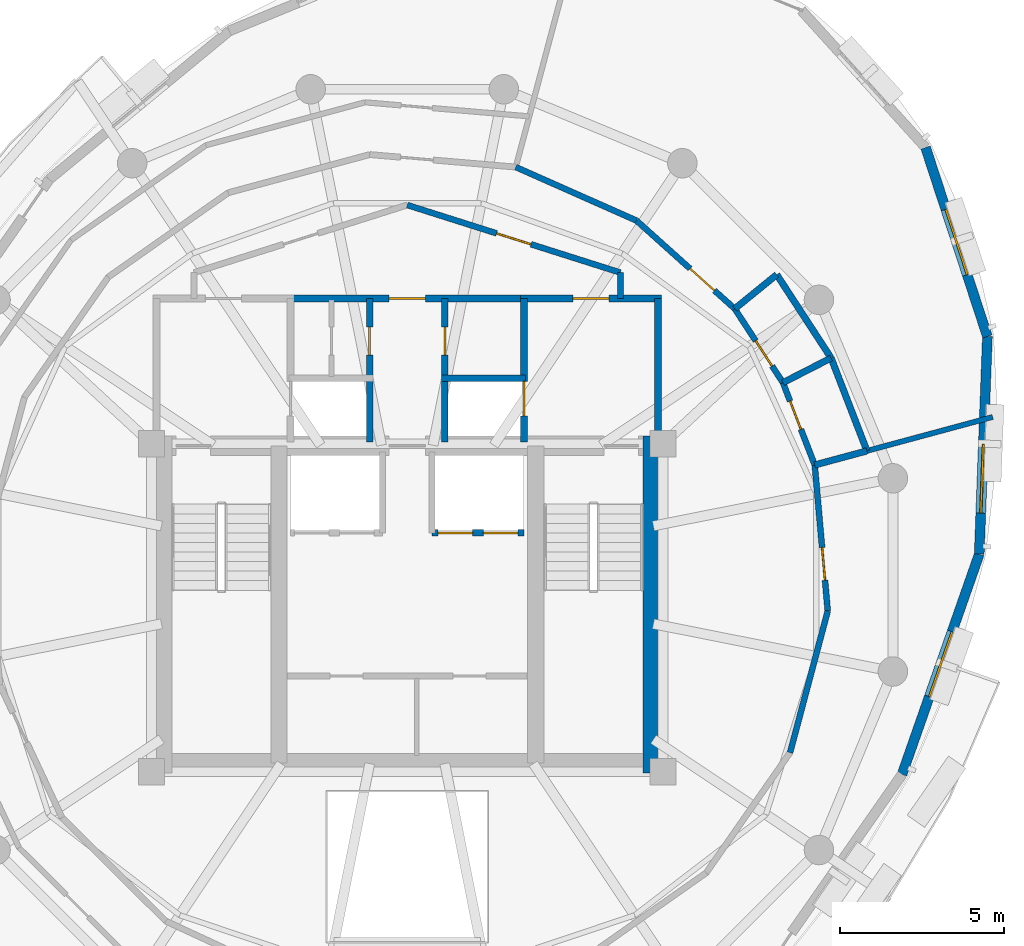
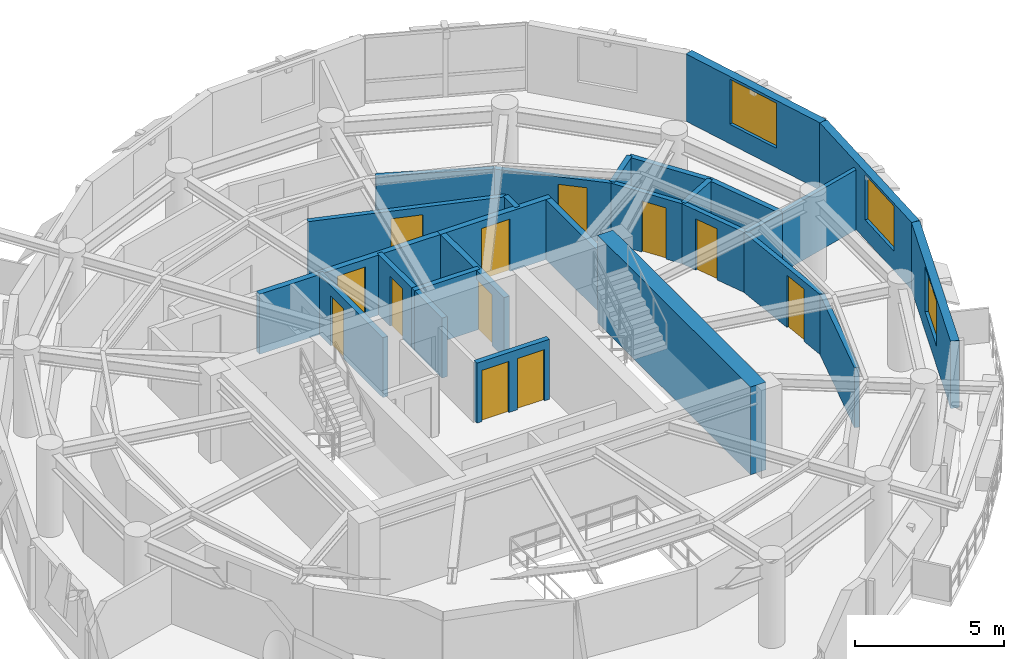
# One storey, part 8 of 11: 26 walls, 12 doors, 3 windows, 15 openings.
"""IFC4 building model written with IfcOpenShell, lengths in metres."""

import ifcopenshell
import ifcopenshell.guid

model = None  # the IFC model being written
_history = None  # IfcOwnerHistory: only IFC2X3 demands one
_inside = {}  # id of a spatial element -> (the spatial element, [elements in it])
_under = {}  # id of a project, library or spatial element -> (it, [spatial elements below it])
_declared = {}  # id of a project -> (the project, [libraries it declares])
_typed = {}  # id of a type object -> (the type object, [elements of that type])
_made_of = {}  # id of a material, layer set ... -> (it, [elements and type objects made of it])


def new_model(schema):
    """Start an empty IFC model of exactly this schema.

    Asked for "IFC4X3", IfcOpenShell would pick the latest addendum, in which some entities
    have other attributes; the version numbers below select the first issue.
    IFC2X3 requires an IfcOwnerHistory on every rooted entity: one is made here for all.
    """
    global model, _history
    if schema == "IFC4X3":
        model = ifcopenshell.file(schema_version=(4, 3, 0, 0))
    else:
        model = ifcopenshell.file(schema=schema)
    _inside.clear()
    _under.clear()
    _declared.clear()
    _typed.clear()
    _made_of.clear()
    _history = None
    if model.schema == "IFC2X3":
        org = make("IfcOrganization", Name="unknown")
        user = make(
            "IfcPersonAndOrganization",
            ThePerson=make("IfcPerson", FamilyName="unknown"),
            TheOrganization=org,
        )
        app = make(
            "IfcApplication",
            ApplicationDeveloper=org,
            Version="unknown",
            ApplicationFullName="unknown",
            ApplicationIdentifier="unknown",
        )
        _history = make(
            "IfcOwnerHistory",
            OwningUser=user,
            OwningApplication=app,
            ChangeAction="ADDED",
            CreationDate=0,
        )
    return model


def make(cls, **values):
    """One entity of the class cls with the attributes given. An attribute that is None is left unset."""
    return model.create_entity(
        cls, **{name: value for name, value in values.items() if value is not None}
    )


def rooted(cls, **values):
    """An entity with a GlobalId (a new one), such as an element, a storey or a relation."""
    return make(cls, GlobalId=ifcopenshell.guid.new(), OwnerHistory=_history, **values)


def si_unit(unit_type, name, prefix=None):
    """IfcSIUnit, for example si_unit("LENGTHUNIT", "METRE", prefix="MILLI")."""
    return make("IfcSIUnit", UnitType=unit_type, Prefix=prefix, Name=name)


def assignment(units):
    """IfcUnitAssignment: the units of a project."""
    return None if units is None else make("IfcUnitAssignment", Units=units)


def point(xyz):
    """IfcCartesianPoint."""
    return None if xyz is None else make("IfcCartesianPoint", Coordinates=xyz)


def direction(xyz):
    """IfcDirection."""
    return None if xyz is None else make("IfcDirection", DirectionRatios=xyz)


def frame(location, z_axis=None, x_axis=None):
    """IfcAxis2Placement3D, a coordinate frame: its origin and axes. An axis left out is left unset."""
    return make(
        "IfcAxis2Placement3D",
        Location=point(location),
        Axis=direction(z_axis),
        RefDirection=direction(x_axis),
    )


def frame_2d(location, x_axis=None):
    """IfcAxis2Placement2D, a coordinate frame in the plane: its origin and x axis."""
    return make(
        "IfcAxis2Placement2D", Location=point(location), RefDirection=direction(x_axis)
    )


def origin():
    """The frame at (0, 0, 0) with its axes left unset."""
    return frame((0.0, 0.0, 0.0))


def place(relative_to, where):
    """IfcLocalPlacement: puts the frame where relative to a parent placement (None: the world)."""
    return make(
        "IfcLocalPlacement", PlacementRelTo=relative_to, RelativePlacement=where
    )


def context(
    kind, dimensions, precision=None, world=None, true_north=None, identifier=None
):
    """IfcGeometricRepresentationContext, for example the 3D "Model" context."""
    return make(
        "IfcGeometricRepresentationContext",
        ContextIdentifier=identifier,
        ContextType=kind,
        CoordinateSpaceDimension=dimensions,
        Precision=precision,
        WorldCoordinateSystem=world,
        TrueNorth=true_north,
    )


def subcontext(parent, identifier, kind, view, scale=None):
    """IfcGeometricRepresentationSubContext, for example "Body" below "Model"."""
    return make(
        "IfcGeometricRepresentationSubContext",
        ContextIdentifier=identifier,
        ContextType=kind,
        ParentContext=parent,
        TargetScale=scale,
        TargetView=view,
    )


def project(units=None, contexts=None):
    """IfcProject with its units and contexts."""
    return rooted(
        "IfcProject",
        Name="project",
        RepresentationContexts=contexts,
        UnitsInContext=assignment(units),
    )


def spatial(cls, under=None, at=None, **own):
    """A site, building, storey or space (cls), placed at a placement, below another one or the project."""
    s = rooted(cls, ObjectPlacement=at, **own)
    if under is not None:
        _under.setdefault(under.id(), (under, []))[1].append(s)
    return s


def profile(cls, at=None, kind="AREA", **sizes):
    """A parametric profile (cls). Its sizes go by their IFC names, for example OverallWidth=200.0."""
    return make(cls, ProfileType=kind, Position=at, **sizes)


def rectangle(**sizes):
    """IfcRectangleProfileDef."""
    return profile("IfcRectangleProfileDef", **sizes)


def extrude(swept, where, along, depth):
    """IfcExtrudedAreaSolid: the profile swept, set in the frame where, extruded along a direction by depth."""
    return make(
        "IfcExtrudedAreaSolid",
        SweptArea=swept,
        Position=where,
        ExtrudedDirection=direction(along),
        Depth=depth,
    )


def shape(context_of_items, identifier, shape_type, items):
    """IfcShapeRepresentation: the items that make up one representation, for example the "Body"."""
    return make(
        "IfcShapeRepresentation",
        ContextOfItems=context_of_items,
        RepresentationIdentifier=identifier,
        RepresentationType=shape_type,
        Items=items,
    )


def material(Name=None, Category=None):
    """IfcMaterial."""
    return make("IfcMaterial", Name=Name, Category=Category)


def layer(
    of_material, thickness, ventilated=None, Name=None, Category=None, Priority=None
):
    """IfcMaterialLayer: one layer of a wall or slab, of a material (None: an air gap)."""
    return make(
        "IfcMaterialLayer",
        Material=of_material,
        LayerThickness=thickness,
        IsVentilated=ventilated,
        Name=Name,
        Category=Category,
        Priority=Priority,
    )


def layer_set(layers, Name=None):
    """IfcMaterialLayerSet."""
    return make("IfcMaterialLayerSet", MaterialLayers=layers, LayerSetName=Name)


def made_of(thing, what):
    """Note that an element or type object is made of a material, layer set ...; save() writes the relation."""
    if what is not None:
        _made_of.setdefault(what.id(), (what, []))[1].append(thing)
    return thing


def type_object(cls, material=None, **own):
    """A type object (cls), such as IfcWallType, which elements share."""
    return made_of(rooted(cls, **own), material)


def element(
    cls,
    number,
    at=None,
    inside=None,
    cuts=None,
    type_object=None,
    material=None,
    context=None,
    identifier="Body",
    shape_type=None,
    held_by="IfcProductDefinitionShape",
    body=None,
    shapes=None,
    **own,
):
    """One element of the class cls, such as IfcWall. Its Tag is "e" and its number.

    at: its placement. inside: the storey or other place that contains it. cuts: it is an
    opening in that element (IfcRelVoidsElement). A single representation is given by context,
    identifier, shape_type and body (its items); several are given by shapes. held_by: the class
    of the entity that holds the representations. save() writes the other relations.
    """
    e = rooted(cls, Tag="e%d" % number, ObjectPlacement=at, **own)
    if body is not None:
        shapes = [shape(context, identifier, shape_type, body)]
    if shapes is not None:
        e.Representation = make(held_by, Representations=shapes)
    if inside is not None:
        _inside.setdefault(inside.id(), (inside, []))[1].append(e)
    if cuts is not None:
        rooted(
            "IfcRelVoidsElement", RelatingBuildingElement=cuts, RelatedOpeningElement=e
        )
    if type_object is not None:
        _typed.setdefault(type_object.id(), (type_object, []))[1].append(e)
    return made_of(e, material)


def fill(opening, filler):
    """IfcRelFillsElement: the door or window that sits in an opening."""
    return rooted(
        "IfcRelFillsElement",
        RelatingOpeningElement=opening,
        RelatedBuildingElement=filler,
    )


def aggregate(whole, parts):
    """IfcRelAggregates: a whole, such as a stair, and the parts it consists of."""
    return rooted("IfcRelAggregates", RelatingObject=whole, RelatedObjects=parts)


def save(model, path):
    """Write the relations noted so far, then the file.

    IfcRelAggregates (storeys below a building ...), IfcRelContainedInSpatialStructure (elements
    in a storey), IfcRelDefinesByType, IfcRelAssociatesMaterial and IfcRelDeclares: one each for
    every whole, place, type object, material and project.
    """
    for whole, parts in _under.values():
        aggregate(whole, parts)
    for where, things in _inside.values():
        rooted(
            "IfcRelContainedInSpatialStructure",
            RelatedElements=things,
            RelatingStructure=where,
        )
    for kind, things in _typed.values():
        rooted("IfcRelDefinesByType", RelatedObjects=things, RelatingType=kind)
    for what, things in _made_of.values():
        rooted("IfcRelAssociatesMaterial", RelatedObjects=things, RelatingMaterial=what)
    for by, libraries in _declared.values():
        rooted("IfcRelDeclares", RelatingContext=by, RelatedDefinitions=libraries)
    model.write(path)


model = new_model("IFC4")

# Units and contexts
model_context = context("Model", 3, precision=1e-05, world=origin(), true_north=direction((0.0, 1.0)))
body_context = subcontext(model_context, "Body", "Model", "MODEL_VIEW")
ifc_project = project(units=[si_unit("LENGTHUNIT", "METRE"), si_unit("AREAUNIT", "SQUARE_METRE"), si_unit("VOLUMEUNIT", "CUBIC_METRE"), si_unit("PLANEANGLEUNIT", "RADIAN"), si_unit("MASSUNIT", "GRAM", prefix="KILO"), si_unit("THERMODYNAMICTEMPERATUREUNIT", "KELVIN"), si_unit("POWERUNIT", "WATT")], contexts=[model_context])

# Site, building, storey
site_placement = place(None, origin())
site = spatial("IfcSite", under=ifc_project, at=site_placement, CompositionType="ELEMENT")
building_placement = place(site_placement, origin())
building = spatial("IfcBuilding", under=site, at=building_placement, Name="Ocrelia Relay Tower", CompositionType="ELEMENT")
storey_placement = place(building_placement, frame((0.0, 0.0, 259.199951171875)))
storey = spatial("IfcBuildingStorey", under=building, at=storey_placement, Name="L64", CompositionType="ELEMENT", Elevation=259.199951171875)

# Walls
ifc_material_1 = material(Name="Concrete C50/60", Category="concrete")
ifc_layer_1 = layer(ifc_material_1, 0.60009765625, Name="Concrete C50/60")
ifc_layer_set_1 = layer_set([ifc_layer_1], Name="Concrete C50/60")
wall_type_1 = type_object("IfcWallType", Name="CW-CORE-600B", PredefinedType="SHEAR", material=ifc_layer_set_1)
wall_1_placement = place(storey_placement, frame((41.488037109375, 19.9619140625, 0.0), z_axis=(0.0, 0.0, 1.0), x_axis=(0.0, 1.0, 0.0)))
element("IfcWall", 1, at=wall_1_placement, inside=storey, type_object=wall_type_1, Name="L64 Core Shear Wall E", PredefinedType="SHEAR", context=body_context, shape_type="SweptSolid", body=[
    extrude(rectangle(XDim=10.276123046875, YDim=0.60009765625, at=frame_2d((5.13818359375, 0.0))), origin(), (0.0, 0.0, 1.0), 3.60009765625),
])
ifc_material_2 = material(Name="Gypsum Fireboard Partition EI60", Category="gypsum")
ifc_layer_2 = layer(ifc_material_2, 0.179931640625, Name="Gypsum Fireboard Partition EI60")
ifc_layer_set_2 = layer_set([ifc_layer_2], Name="Gypsum Fireboard Partition EI60")
wall_type_2 = type_object("IfcWallType", Name="W-CORR-EI60-180", PredefinedType="PARTITIONING", material=ifc_layer_set_2)
wall_2_placement = place(storey_placement, frame((40.5, 35.218994140625, 0.0), z_axis=(0.0, 0.0, 1.0), x_axis=(0.0, -1.0, 0.0)))
element("IfcWall", 2, at=wall_2_placement, inside=storey, type_object=wall_type_2, Name="L64 Smoke Lobby East Return", PredefinedType="PARTITIONING", context=body_context, shape_type="SweptSolid", body=[
    extrude(rectangle(XDim=0.7890625, YDim=0.179931640625, at=frame_2d((0.39453125, 0.0))), origin(), (0.0, 0.0, 1.0), 2.4599609375),
])

# Wall, opening, door
wall_3_placement = place(storey_placement, frame((34.0, 37.280029296875, 0.0), z_axis=(0.0, 0.0, 1.0), x_axis=(0.953228121756, -0.302251795518, 0.0)))
wall_3 = element("IfcWall", 3, at=wall_3_placement, inside=storey, type_object=wall_type_2, Name="L64 North Smoke Lobby E Screen Wall", PredefinedType="PARTITIONING", context=body_context, shape_type="SweptSolid", body=[
    extrude(rectangle(XDim=6.81884765625, YDim=0.179931640625, at=frame_2d((3.409423828125, 0.0))), origin(), (0.0, 0.0, 1.0), 2.4599609375),
])
opening_1_placement = place(wall_3_placement, frame((2.859619140625, 0.0, 0.0)))
opening_1 = element("IfcOpeningElement", 4, at=opening_1_placement, cuts=wall_3, Name="Opening D-FD60", PredefinedType="OPENING", context=body_context, shape_type="SweptSolid", body=[
    extrude(rectangle(XDim=1.10009765625, YDim=2.14990234375, at=frame_2d((0.550048828125, 1.074951171875))), frame((0.0, 0.10009765625, 0.0), z_axis=(0.0, -1.0, 0.0), x_axis=(1.0, 0.0, 0.0)), (0.0, 0.0, 1.0), 0.199951171875),
])
ifc_material_3 = material(Name="Timber-core 60-min acoustic fire door", Category="wood")
door_type_1 = type_object("IfcDoorType", Name="DR-LOBBY-FD60-1100", OperationType="NOTDEFINED", PredefinedType="DOOR", material=ifc_material_3)
door_1_placement = place(opening_1_placement, origin())
door_1 = element("IfcDoor", 5, at=door_1_placement, inside=storey, type_object=door_type_1, Name="L64 North Smoke Lobby E Fire Door", OperationType="SINGLE_SWING_RIGHT", OverallHeight=2.14990234375, OverallWidth=1.10009765625, PredefinedType="DOOR", context=body_context, shape_type="SweptSolid", body=[
    extrude(rectangle(XDim=1.10009765625, YDim=2.14990234375, at=frame_2d((0.550048828125, 1.074951171875))), frame((0.0, 0.02490234375, 0.0), z_axis=(0.0, -1.0, 0.0), x_axis=(1.0, 0.0, 0.0)), (0.0, 0.0, 1.0), 0.050048828125),
])
fill(opening_1, door_1)

wall_4_placement = place(storey_placement, frame((46.425537109375, 29.352783203125, 0.0), z_axis=(0.0, 0.0, 1.0), x_axis=(-0.359988298635, 0.932956818318, 0.0)))
wall_4 = element("IfcWall", 6, at=wall_4_placement, inside=storey, type_object=wall_type_2, Name="L64 Staff Toilet Corridor Wall", PredefinedType="PARTITIONING", context=body_context, shape_type="SweptSolid", body=[
    extrude(rectangle(XDim=2.6904296875, YDim=0.179931640625, at=frame_2d((1.34521484375, 0.0))), origin(), (0.0, 0.0, 1.0), 2.4599609375),
])
opening_2_placement = place(wall_4_placement, frame((1.16748046875, 0.0, 0.0)))
opening_2 = element("IfcOpeningElement", 7, at=opening_2_placement, cuts=wall_4, Name="Opening D-WC92", PredefinedType="OPENING", context=body_context, shape_type="SweptSolid", body=[
    extrude(rectangle(XDim=0.919921875, YDim=2.10009765625, at=frame_2d((0.4599609375, 1.050048828125))), frame((0.0, 0.10009765625, 0.0), z_axis=(0.0, -1.0, 0.0), x_axis=(1.0, 0.0, 0.0)), (0.0, 0.0, 1.0), 0.199951171875),
])
ifc_material_4 = material(Name="Laminate washroom door", Category="wood")
door_type_2 = type_object("IfcDoorType", Name="DR-WC-920", OperationType="NOTDEFINED", PredefinedType="DOOR", material=ifc_material_4)
door_2_placement = place(opening_2_placement, origin())
door_2 = element("IfcDoor", 8, at=door_2_placement, inside=storey, type_object=door_type_2, Name="L64 Staff Toilet Door", OperationType="SINGLE_SWING_LEFT", OverallHeight=2.10009765625, OverallWidth=0.919921875, PredefinedType="DOOR", context=body_context, shape_type="SweptSolid", body=[
    extrude(rectangle(XDim=0.919921875, YDim=2.10009765625, at=frame_2d((0.4599609375, 1.050048828125))), frame((0.0, 0.02490234375, 0.0), z_axis=(0.0, -1.0, 0.0), x_axis=(1.0, 0.0, 0.0)), (0.0, 0.0, 1.0), 0.050048828125),
])
fill(opening_2, door_2)

wall_5_placement = place(storey_placement, frame((45.45703125, 31.86279296875, 0.0), z_axis=(0.0, 0.0, 1.0), x_axis=(-0.546085080171, 0.837729720861, 0.0)))
wall_5 = element("IfcWall", 9, at=wall_5_placement, inside=storey, type_object=wall_type_2, Name="L64 Accessible Toilet Corridor Wall", PredefinedType="PARTITIONING", context=body_context, shape_type="SweptSolid", body=[
    extrude(rectangle(XDim=2.6904296875, YDim=0.179931640625, at=frame_2d((1.34521484375, 0.0))), origin(), (0.0, 0.0, 1.0), 2.4599609375),
])
opening_3_placement = place(wall_5_placement, frame((0.603271484375, 0.0, 0.0)))
opening_3 = element("IfcOpeningElement", 10, at=opening_3_placement, cuts=wall_5, Name="Opening D-WC92", PredefinedType="OPENING", context=body_context, shape_type="SweptSolid", body=[
    extrude(rectangle(XDim=0.919921875, YDim=2.10009765625, at=frame_2d((0.4599609375, 1.050048828125))), frame((0.0, 0.10009765625, 0.0), z_axis=(0.0, -1.0, 0.0), x_axis=(1.0, 0.0, 0.0)), (0.0, 0.0, 1.0), 0.199951171875),
])
door_3_placement = place(opening_3_placement, origin())
door_3 = element("IfcDoor", 11, at=door_3_placement, inside=storey, type_object=door_type_2, Name="L64 Accessible Toilet Door", OperationType="SINGLE_SWING_RIGHT", OverallHeight=2.10009765625, OverallWidth=0.919921875, PredefinedType="DOOR", context=body_context, shape_type="SweptSolid", body=[
    extrude(rectangle(XDim=0.919921875, YDim=2.10009765625, at=frame_2d((0.4599609375, 1.050048828125))), frame((0.0, 0.02490234375, 0.0), z_axis=(0.0, -1.0, 0.0), x_axis=(1.0, 0.0, 0.0)), (0.0, 0.0, 1.0), 0.050048828125),
])
fill(opening_3, door_3)

wall_6_placement = place(storey_placement, frame((43.98779296875, 34.11669921875, 0.0), z_axis=(0.0, 0.0, 1.0), x_axis=(-0.744300239782, 0.6678451565, 0.0)))
wall_6 = element("IfcWall", 12, at=wall_6_placement, inside=storey, type_object=wall_type_2, Name="L64 Executive Lounge Corridor Partition 1", PredefinedType="PARTITIONING", context=body_context, shape_type="SweptSolid", body=[
    extrude(rectangle(XDim=4.026611328125, YDim=0.179931640625, at=frame_2d((2.01318359375, 0.0))), origin(), (0.0, 0.0, 1.0), 2.4599609375),
])
opening_4_placement = place(wall_6_placement, frame((0.83154296875, 0.0, 0.0)))
opening_4 = element("IfcOpeningElement", 13, at=opening_4_placement, cuts=wall_6, Name="Opening D-RM100", PredefinedType="OPENING", context=body_context, shape_type="SweptSolid", body=[
    extrude(rectangle(XDim=1.0, YDim=2.14990234375, at=frame_2d((0.5, 1.074951171875))), frame((0.0, 0.10009765625, 0.0), z_axis=(0.0, -1.0, 0.0), x_axis=(1.0, 0.0, 0.0)), (0.0, 0.0, 1.0), 0.199951171875),
])
ifc_material_5 = material(Name="Acoustic oak veneer fire door", Category="wood")
door_type_3 = type_object("IfcDoorType", Name="DR-ROOM-FD60-1000", OperationType="NOTDEFINED", PredefinedType="DOOR", material=ifc_material_5)
door_4_placement = place(opening_4_placement, origin())
door_4 = element("IfcDoor", 14, at=door_4_placement, inside=storey, type_object=door_type_3, Name="L64 Executive Lounge Entrance Door", OperationType="SINGLE_SWING_LEFT", OverallHeight=2.14990234375, OverallWidth=1.0, PredefinedType="DOOR", context=body_context, shape_type="SweptSolid", body=[
    extrude(rectangle(XDim=1.0, YDim=2.14990234375, at=frame_2d((0.5, 1.074951171875))), frame((0.0, 0.02490234375, 0.0), z_axis=(0.0, -1.0, 0.0), x_axis=(1.0, 0.0, 0.0)), (0.0, 0.0, 1.0), 0.050048828125),
])
fill(opening_4, door_4)

# Walls
wall_7_placement = place(storey_placement, frame((40.99072265625, 36.805908203125, 0.0), z_axis=(0.0, 0.0, 1.0), x_axis=(-0.914256044606, 0.405136871812, 0.0)))
element("IfcWall", 15, at=wall_7_placement, inside=storey, type_object=wall_type_2, Name="L64 Executive Lounge Corridor Partition 2", PredefinedType="PARTITIONING", context=body_context, shape_type="SweptSolid", body=[
    extrude(rectangle(XDim=4.026611328125, YDim=0.179931640625, at=frame_2d((2.01318359375, 0.0))), origin(), (0.0, 0.0, 1.0), 2.4599609375),
])
wall_8_placement = place(storey_placement, frame((45.673583984375, 20.581298828125, 0.0), z_axis=(0.0, 0.0, 1.0), x_axis=(0.257159460404, 0.966368983321, 0.0)))
element("IfcWall", 16, at=wall_8_placement, inside=storey, type_object=wall_type_2, Name="L64 Fellows Quiet Study Corridor Partition 5", PredefinedType="PARTITIONING", context=body_context, shape_type="SweptSolid", body=[
    extrude(rectangle(XDim=4.4697265625, YDim=0.179931640625, at=frame_2d((2.23486328125, 0.0))), origin(), (0.0, 0.0, 1.0), 2.4599609375),
])

# Wall, opening, door
wall_9_placement = place(storey_placement, frame((46.822998046875, 24.900634765625, 0.0), z_axis=(0.0, 0.0, 1.0), x_axis=(-0.088920326386, 0.996038741995, 0.0)))
wall_9 = element("IfcWall", 17, at=wall_9_placement, inside=storey, type_object=wall_type_2, Name="L64 Fellows Quiet Study Corridor Partition 6", PredefinedType="PARTITIONING", context=body_context, shape_type="SweptSolid", body=[
    extrude(rectangle(XDim=4.469970703125, YDim=0.179931640625, at=frame_2d((2.23486328125, 0.0))), origin(), (0.0, 0.0, 1.0), 2.4599609375),
])
opening_5_placement = place(wall_9_placement, frame((0.9423828125, 0.0, 0.0)))
opening_5 = element("IfcOpeningElement", 18, at=opening_5_placement, cuts=wall_9, Name="Opening D-RM100", PredefinedType="OPENING", context=body_context, shape_type="SweptSolid", body=[
    extrude(rectangle(XDim=1.0, YDim=2.14990234375, at=frame_2d((0.5, 1.074951171875))), frame((0.0, 0.10009765625, 0.0), z_axis=(0.0, -1.0, 0.0), x_axis=(1.0, 0.0, 0.0)), (0.0, 0.0, 1.0), 0.199951171875),
])
door_5_placement = place(opening_5_placement, origin())
door_5 = element("IfcDoor", 19, at=door_5_placement, inside=storey, type_object=door_type_3, Name="L64 Fellows Quiet Study Entrance Door", OperationType="SINGLE_SWING_RIGHT", OverallHeight=2.14990234375, OverallWidth=1.0, PredefinedType="DOOR", context=body_context, shape_type="SweptSolid", body=[
    extrude(rectangle(XDim=1.0, YDim=2.14990234375, at=frame_2d((0.5, 1.074951171875))), frame((0.0, 0.02490234375, 0.0), z_axis=(0.0, -1.0, 0.0), x_axis=(1.0, 0.0, 0.0)), (0.0, 0.0, 1.0), 0.050048828125),
])
fill(opening_5, door_5)

# Wall, opening, window
ifc_material_6 = material(Name="Precast concrete C40/50 with oxide terracotta", Category="masonry")
ifc_layer_3 = layer(ifc_material_6, 0.300048828125, Name="Precast concrete C40/50 with oxide terracotta")
ifc_layer_set_3 = layer_set([ifc_layer_3], Name="Precast concrete C40/50 with oxide terracotta")
wall_type_3 = type_object("IfcWallType", Name="W-EXT-TERR-300", PredefinedType="SOLIDWALL", material=ifc_layer_set_3)
wall_10_placement = place(storey_placement, frame((49.090087890625, 19.919189453125, 0.0), z_axis=(0.0, 0.0, 1.0), x_axis=(0.330663722263, 0.943748643856, 0.0)))
wall_10 = element("IfcWall", 20, at=wall_10_placement, inside=storey, type_object=wall_type_3, Name="L64 Oxide Terracotta Facade Wall 15", PredefinedType="SOLIDWALL", context=body_context, shape_type="SweptSolid", body=[
    extrude(rectangle(XDim=7.115234375, YDim=0.300048828125, at=frame_2d((3.5576171875, 0.0))), origin(), (0.0, 0.0, 1.0), 2.760009765625),
])
opening_6_placement = place(wall_10_placement, frame((2.508056640625, 0.0, 0.800048828125)))
opening_6 = element("IfcOpeningElement", 21, at=opening_6_placement, cuts=wall_10, Name="Opening W-07", PredefinedType="OPENING", context=body_context, shape_type="SweptSolid", body=[
    extrude(rectangle(XDim=2.10009765625, YDim=1.85009765625, at=frame_2d((1.050048828125, 0.925048828125))), frame((0.0, 0.16015625, 0.0), z_axis=(0.0, -1.0, 0.0), x_axis=(1.0, 0.0, 0.0)), (0.0, 0.0, 1.0), 0.320068359375),
])
ifc_material_7 = material(Name="Clear double-glazed low-E glass", Category="glass")
window_type = type_object("IfcWindowType", Name="WIN-Z4-2100x2200", PartitioningType="DOUBLE_PANEL_VERTICAL", PredefinedType="WINDOW", material=ifc_material_7)
window_1_placement = place(opening_6_placement, origin())
window_1 = element("IfcWindow", 22, at=window_1_placement, inside=storey, type_object=window_type, Name="L64 Facade Module Window 15", OverallHeight=1.85009765625, OverallWidth=2.10009765625, PartitioningType="SINGLE_PANEL", PredefinedType="WINDOW", context=body_context, shape_type="SweptSolid", body=[
    extrude(rectangle(XDim=2.10009765625, YDim=1.85009765625, at=frame_2d((1.050048828125, 0.925048828125))), frame((0.0, 0.030029296875, 0.0), z_axis=(0.0, -1.0, 0.0), x_axis=(1.0, 0.0, 0.0)), (0.0, 0.0, 1.0), 0.06005859375),
])
fill(opening_6, window_1)

wall_11_placement = place(storey_placement, frame((51.44287109375, 26.63427734375, 0.0), z_axis=(0.0, 0.0, 1.0), x_axis=(0.03744934718, 0.999298527166, 0.0)))
wall_11 = element("IfcWall", 23, at=wall_11_placement, inside=storey, type_object=wall_type_3, Name="L64 Oxide Terracotta Facade Wall 16", PredefinedType="SOLIDWALL", context=body_context, shape_type="SweptSolid", body=[
    extrude(rectangle(XDim=6.64306640625, YDim=0.300048828125, at=frame_2d((3.321533203125, 0.0))), origin(), (0.0, 0.0, 1.0), 2.760009765625),
])
opening_7_placement = place(wall_11_placement, frame((1.2509765625, 0.0, 0.800048828125)))
opening_7 = element("IfcOpeningElement", 24, at=opening_7_placement, cuts=wall_11, Name="Opening W-07", PredefinedType="OPENING", context=body_context, shape_type="SweptSolid", body=[
    extrude(rectangle(XDim=2.10009765625, YDim=1.85009765625, at=frame_2d((1.050048828125, 0.925048828125))), frame((0.0, 0.16015625, 0.0), z_axis=(0.0, -1.0, 0.0), x_axis=(1.0, 0.0, 0.0)), (0.0, 0.0, 1.0), 0.320068359375),
])
window_2_placement = place(opening_7_placement, origin())
window_2 = element("IfcWindow", 25, at=window_2_placement, inside=storey, type_object=window_type, Name="L64 Facade Module Window 16", OverallHeight=1.85009765625, OverallWidth=2.10009765625, PartitioningType="SINGLE_PANEL", PredefinedType="WINDOW", context=body_context, shape_type="SweptSolid", body=[
    extrude(rectangle(XDim=2.10009765625, YDim=1.85009765625, at=frame_2d((1.050048828125, 0.925048828125))), frame((0.0, 0.030029296875, 0.0), z_axis=(0.0, -1.0, 0.0), x_axis=(1.0, 0.0, 0.0)), (0.0, 0.0, 1.0), 0.06005859375),
])
fill(opening_7, window_2)

wall_12_placement = place(storey_placement, frame((51.691650390625, 33.272705078125, 0.0), z_axis=(0.0, 0.0, 1.0), x_axis=(-0.310966962927, 0.950420721559, 0.0)))
wall_12 = element("IfcWall", 26, at=wall_12_placement, inside=storey, type_object=wall_type_3, Name="L64 Oxide Terracotta Facade Wall 17", PredefinedType="SOLIDWALL", context=body_context, shape_type="SweptSolid", body=[
    extrude(rectangle(XDim=6.061767578125, YDim=0.300048828125, at=frame_2d((3.03076171875, 0.0))), origin(), (0.0, 0.0, 1.0), 2.760009765625),
])
opening_8_placement = place(wall_12_placement, frame((1.98095703125, 0.0, 0.800048828125)))
opening_8 = element("IfcOpeningElement", 27, at=opening_8_placement, cuts=wall_12, Name="Opening W-07", PredefinedType="OPENING", context=body_context, shape_type="SweptSolid", body=[
    extrude(rectangle(XDim=2.10009765625, YDim=1.85009765625, at=frame_2d((1.050048828125, 0.925048828125))), frame((0.0, 0.16015625, 0.0), z_axis=(0.0, -1.0, 0.0), x_axis=(1.0, 0.0, 0.0)), (0.0, 0.0, 1.0), 0.320068359375),
])
window_3_placement = place(opening_8_placement, origin())
window_3 = element("IfcWindow", 28, at=window_3_placement, inside=storey, type_object=window_type, Name="L64 Facade Module Window 17", OverallHeight=1.85009765625, OverallWidth=2.10009765625, PartitioningType="SINGLE_PANEL", PredefinedType="WINDOW", context=body_context, shape_type="SweptSolid", body=[
    extrude(rectangle(XDim=2.10009765625, YDim=1.85009765625, at=frame_2d((1.050048828125, 0.925048828125))), frame((0.0, 0.030029296875, 0.0), z_axis=(0.0, -1.0, 0.0), x_axis=(1.0, 0.0, 0.0)), (0.0, 0.0, 1.0), 0.06005859375),
])
fill(opening_8, window_3)

# Wall, opening, door
ifc_layer_4 = layer(ifc_material_1, 0.219970703125, Name="Concrete C50/60")
ifc_layer_set_4 = layer_set([ifc_layer_4], Name="Concrete C50/60")
wall_type_4 = type_object("IfcWallType", Name="W-FFL-EI120-220", PredefinedType="SOLIDWALL", material=ifc_layer_set_4)
wall_13_placement = place(storey_placement, frame((37.56005859375, 30.050048828125, 0.0), z_axis=(0.0, 0.0, 1.0), x_axis=(0.0, 1.0, 0.0)))
wall_13 = element("IfcWall", 29, at=wall_13_placement, inside=storey, type_object=wall_type_4, Name="L64 E Fire Service Lift Lobby West Wall", PredefinedType="SOLIDWALL", context=body_context, shape_type="SweptSolid", body=[
    extrude(rectangle(XDim=4.3798828125, YDim=0.219970703125, at=frame_2d((2.18994140625, 0.0))), origin(), (0.0, 0.0, 1.0), 2.4599609375),
])
opening_9_placement = place(wall_13_placement, frame((0.800048828125, 0.0, 0.0)))
opening_9 = element("IfcOpeningElement", 30, at=opening_9_placement, cuts=wall_13, Name="Opening LD-FFL2", PredefinedType="OPENING", context=body_context, shape_type="SweptSolid", body=[
    extrude(rectangle(XDim=1.050048828125, YDim=2.10009765625, at=frame_2d((0.52490234375, 1.050048828125))), frame((0.0, 0.1201171875, 0.0), z_axis=(0.0, -1.0, 0.0), x_axis=(1.0, 0.0, 0.0)), (0.0, 0.0, 1.0), 0.239990234375),
])
ifc_material_8 = material(Name="Brushed stainless steel S355 lift landing door", Category="steel")
door_type_4 = type_object("IfcDoorType", Name="DR-LIFT-LAND-1050", OperationType="DOUBLE_DOOR_SLIDING", PredefinedType="USERDEFINED", material=ifc_material_8)
door_6_placement = place(opening_9_placement, origin())
door_6 = element("IfcDoor", 31, at=door_6_placement, inside=storey, type_object=door_type_4, Name="L64 Firefighting Lift FFL2 Sliding Landing Door", ObjectType="LANDING DOOR", OperationType="DOUBLE_DOOR_SLIDING", OverallHeight=2.10009765625, OverallWidth=1.050048828125, PredefinedType="USERDEFINED", context=body_context, shape_type="SweptSolid", body=[
    extrude(rectangle(XDim=1.050048828125, YDim=2.10009765625, at=frame_2d((0.52490234375, 1.050048828125))), frame((0.0, 0.02490234375, 0.0), z_axis=(0.0, -1.0, 0.0), x_axis=(1.0, 0.0, 0.0)), (0.0, 0.0, 1.0), 0.050048828125),
])
fill(opening_9, door_6)

# Wall
wall_14_placement = place(storey_placement, frame((41.64990234375, 30.050048828125, 0.0), z_axis=(0.0, 0.0, 1.0), x_axis=(0.0, 1.0, 0.0)))
element("IfcWall", 32, at=wall_14_placement, inside=storey, type_object=wall_type_4, Name="L64 E Fire Service Lift Lobby East Wall", PredefinedType="SOLIDWALL", context=body_context, shape_type="SweptSolid", body=[
    extrude(rectangle(XDim=4.3798828125, YDim=0.219970703125, at=frame_2d((2.18994140625, 0.0))), origin(), (0.0, 0.0, 1.0), 2.4599609375),
])

# Wall, opening, door
wall_15_placement = place(storey_placement, frame((37.449951171875, 34.429931640625, 0.0), z_axis=(0.0, 0.0, 1.0), x_axis=(1.0, 0.0, 0.0)))
wall_15 = element("IfcWall", 33, at=wall_15_placement, inside=storey, type_object=wall_type_4, Name="L64 E Fire Service Lift Lobby North Wall", PredefinedType="SOLIDWALL", context=body_context, shape_type="SweptSolid", body=[
    extrude(rectangle(XDim=4.31005859375, YDim=0.219970703125, at=frame_2d((2.155029296875, 0.0))), origin(), (0.0, 0.0, 1.0), 2.4599609375),
])
opening_10_placement = place(wall_15_placement, frame((1.60009765625, 0.0, 0.0)))
opening_10 = element("IfcOpeningElement", 34, at=opening_10_placement, cuts=wall_15, Name="Opening D-FD60", PredefinedType="OPENING", context=body_context, shape_type="SweptSolid", body=[
    extrude(rectangle(XDim=1.10009765625, YDim=2.14990234375, at=frame_2d((0.550048828125, 1.074951171875))), frame((0.0, 0.1201171875, 0.0), z_axis=(0.0, -1.0, 0.0), x_axis=(1.0, 0.0, 0.0)), (0.0, 0.0, 1.0), 0.239990234375),
])
door_7_placement = place(opening_10_placement, origin())
door_7 = element("IfcDoor", 35, at=door_7_placement, inside=storey, type_object=door_type_1, Name="L64 E Fire Service Lift Lobby Exit Door", OperationType="SINGLE_SWING_LEFT", OverallHeight=2.14990234375, OverallWidth=1.10009765625, PredefinedType="DOOR", context=body_context, shape_type="SweptSolid", body=[
    extrude(rectangle(XDim=1.10009765625, YDim=2.14990234375, at=frame_2d((0.550048828125, 1.074951171875))), frame((0.0, 0.02490234375, 0.0), z_axis=(0.0, -1.0, 0.0), x_axis=(1.0, 0.0, 0.0)), (0.0, 0.0, 1.0), 0.050048828125),
])
fill(opening_10, door_7)

wall_16_placement = place(storey_placement, frame((30.43994140625, 34.429931640625, 0.0), z_axis=(0.0, 0.0, 1.0), x_axis=(1.0, 0.0, 0.0)))
wall_16 = element("IfcWall", 36, at=wall_16_placement, inside=storey, type_object=wall_type_4, Name="L64 North Core Vestibule Wall", PredefinedType="SOLIDWALL", context=body_context, shape_type="SweptSolid", body=[
    extrude(rectangle(XDim=7.1201171875, YDim=0.219970703125, at=frame_2d((3.56005859375, 0.0))), origin(), (0.0, 0.0, 1.0), 2.4599609375),
])
opening_11_placement = place(wall_16_placement, frame((3.010009765625, 0.0, 0.0)))
opening_11 = element("IfcOpeningElement", 37, at=opening_11_placement, cuts=wall_16, Name="Opening D-FD60", PredefinedType="OPENING", context=body_context, shape_type="SweptSolid", body=[
    extrude(rectangle(XDim=1.10009765625, YDim=2.14990234375, at=frame_2d((0.550048828125, 1.074951171875))), frame((0.0, 0.1201171875, 0.0), z_axis=(0.0, -1.0, 0.0), x_axis=(1.0, 0.0, 0.0)), (0.0, 0.0, 1.0), 0.239990234375),
])
door_8_placement = place(opening_11_placement, origin())
door_8 = element("IfcDoor", 38, at=door_8_placement, inside=storey, type_object=door_type_1, Name="L64 North Core Vestibule Corridor Door", OperationType="SINGLE_SWING_LEFT", OverallHeight=2.14990234375, OverallWidth=1.10009765625, PredefinedType="DOOR", context=body_context, shape_type="SweptSolid", body=[
    extrude(rectangle(XDim=1.10009765625, YDim=2.14990234375, at=frame_2d((0.550048828125, 1.074951171875))), frame((0.0, 0.02490234375, 0.0), z_axis=(0.0, -1.0, 0.0), x_axis=(1.0, 0.0, 0.0)), (0.0, 0.0, 1.0), 0.050048828125),
])
fill(opening_11, door_8)

# Walls
ifc_material_9 = material(Name="Acoustic Fireboard Partition EI60", Category="gypsum")
ifc_layer_5 = layer(ifc_material_9, 0.159912109375, Name="Acoustic Fireboard Partition EI60")
ifc_layer_set_5 = layer_set([ifc_layer_5], Name="Acoustic Fireboard Partition EI60")
wall_type_5 = type_object("IfcWallType", Name="W-PART-160", PredefinedType="PARTITIONING", material=ifc_layer_set_5)
wall_17_placement = place(storey_placement, frame((48.018798828125, 29.782470703125, 0.0), z_axis=(0.0, 0.0, 1.0), x_axis=(0.965476719043, 0.260489356762, 0.0)))
element("IfcWall", 39, at=wall_17_placement, inside=storey, type_object=wall_type_5, Name="L64 Executive Lounge Radial Partition", PredefinedType="PARTITIONING", context=body_context, shape_type="SweptSolid", body=[
    extrude(rectangle(XDim=3.97119140625, YDim=0.159912109375, at=frame_2d((1.985595703125, 0.0))), origin(), (0.0, 0.0, 1.0), 2.4599609375),
])
ifc_material_10 = material(Name="Moisture-Resistant Fireboard Chase Wall EI60", Category="gypsum")
ifc_layer_6 = layer(ifc_material_10, 0.199951171875, Name="Moisture-Resistant Fireboard Chase Wall EI60")
ifc_layer_set_6 = layer_set([ifc_layer_6], Name="Moisture-Resistant Fireboard Chase Wall EI60")
wall_type_6 = type_object("IfcWallType", Name="W-PLUMB-200", PredefinedType="PLUMBINGWALL", material=ifc_layer_set_6)
wall_18_placement = place(storey_placement, frame((46.425537109375, 29.352783203125, 0.0), z_axis=(0.0, 0.0, 1.0), x_axis=(0.965504250196, 0.260387293954, 0.0)))
element("IfcWall", 40, at=wall_18_placement, inside=storey, type_object=wall_type_6, Name="L64 Staff Toilet Plumbing Radial Wall", PredefinedType="PLUMBINGWALL", context=body_context, shape_type="SweptSolid", body=[
    extrude(rectangle(XDim=1.650146484375, YDim=0.199951171875, at=frame_2d((0.8251953125, 0.0))), origin(), (0.0, 0.0, 1.0), 2.4599609375),
])
wall_19_placement = place(storey_placement, frame((45.45703125, 31.86279296875, 0.0), z_axis=(0.0, 0.0, 1.0), x_axis=(0.890185364143, 0.455598526628, 0.0)))
element("IfcWall", 41, at=wall_19_placement, inside=storey, type_object=wall_type_6, Name="L64 Staff Toilet Plumbing Radial Wall", PredefinedType="PLUMBINGWALL", context=body_context, shape_type="SweptSolid", body=[
    extrude(rectangle(XDim=1.64990234375, YDim=0.199951171875, at=frame_2d((0.824951171875, 0.0))), origin(), (0.0, 0.0, 1.0), 2.4599609375),
])
wall_20_placement = place(storey_placement, frame((48.018798828125, 29.782470703125, 0.0), z_axis=(0.0, 0.0, 1.0), x_axis=(-0.36006208574, 0.932928343664, 0.0)))
element("IfcWall", 42, at=wall_20_placement, inside=storey, type_object=wall_type_6, Name="L64 Staff Toilet Back Plumbing Wall", PredefinedType="PLUMBINGWALL", context=body_context, shape_type="SweptSolid", body=[
    extrude(rectangle(XDim=3.03564453125, YDim=0.199951171875, at=frame_2d((1.517822265625, 0.0))), origin(), (0.0, 0.0, 1.0), 2.4599609375),
])
wall_21_placement = place(storey_placement, frame((43.98779296875, 34.11669921875, 0.0), z_axis=(0.0, 0.0, 1.0), x_axis=(0.776009900737, 0.630720725804, 0.0)))
element("IfcWall", 43, at=wall_21_placement, inside=storey, type_object=wall_type_6, Name="L64 Accessible Toilet Plumbing Radial Wall", PredefinedType="PLUMBINGWALL", context=body_context, shape_type="SweptSolid", body=[
    extrude(rectangle(XDim=1.650146484375, YDim=0.199951171875, at=frame_2d((0.8251953125, 0.0))), origin(), (0.0, 0.0, 1.0), 2.4599609375),
])
wall_22_placement = place(storey_placement, frame((46.92578125, 32.614501953125, 0.0), z_axis=(0.0, 0.0, 1.0), x_axis=(-0.546039590689, 0.837759372016, 0.0)))
element("IfcWall", 44, at=wall_22_placement, inside=storey, type_object=wall_type_6, Name="L64 Accessible Toilet Back Plumbing Wall", PredefinedType="PLUMBINGWALL", context=body_context, shape_type="SweptSolid", body=[
    extrude(rectangle(XDim=3.035400390625, YDim=0.199951171875, at=frame_2d((1.517578125, 0.0))), origin(), (0.0, 0.0, 1.0), 2.4599609375),
])

# Wall, opening, door
ifc_layer_7 = layer(ifc_material_1, 0.199951171875, Name="Concrete C50/60")
ifc_layer_set_7 = layer_set([ifc_layer_7], Name="Concrete C50/60")
wall_type_7 = type_object("IfcWallType", Name="W-SHAFT-EI120-200", PredefinedType="SOLIDWALL", material=ifc_layer_set_7)
wall_23_placement = place(storey_placement, frame((32.85009765625, 30.050048828125, 0.0), z_axis=(0.0, 0.0, 1.0), x_axis=(0.0, 1.0, 0.0)))
wall_23 = element("IfcWall", 45, at=wall_23_placement, inside=storey, type_object=wall_type_7, Name="L64 FFL1 and Service Vestibule Wall", PredefinedType="SOLIDWALL", context=body_context, shape_type="SweptSolid", body=[
    extrude(rectangle(XDim=4.3798828125, YDim=0.199951171875, at=frame_2d((2.18994140625, 0.0))), origin(), (0.0, 0.0, 1.0), 2.4599609375),
])
opening_12_placement = place(wall_23_placement, frame((2.64990234375, 0.0, 0.0)))
opening_12 = element("IfcOpeningElement", 46, at=opening_12_placement, cuts=wall_23, Name="Opening D-RS86", PredefinedType="OPENING", context=body_context, shape_type="SweptSolid", body=[
    extrude(rectangle(XDim=0.860107421875, YDim=2.050048828125, at=frame_2d((0.43017578125, 1.02490234375))), frame((0.0, 0.10986328125, 0.0), z_axis=(0.0, -1.0, 0.0), x_axis=(1.0, 0.0, 0.0)), (0.0, 0.0, 1.0), 0.219970703125),
])
ifc_material_11 = material(Name="Steel S355 riser access fire door", Category="steel")
door_type_5 = type_object("IfcDoorType", Name="DR-RISER-TRAP-860", OperationType="NOTDEFINED", PredefinedType="TRAPDOOR", material=ifc_material_11)
door_9_placement = place(opening_12_placement, origin())
door_9 = element("IfcDoor", 47, at=door_9_placement, inside=storey, type_object=door_type_5, Name="L64 Core Support Room W Door", OperationType="SINGLE_SWING_RIGHT", OverallHeight=2.050048828125, OverallWidth=0.860107421875, PredefinedType="TRAPDOOR", context=body_context, shape_type="SweptSolid", body=[
    extrude(rectangle(XDim=0.860107421875, YDim=2.050048828125, at=frame_2d((0.43017578125, 1.02490234375))), frame((0.0, 0.02490234375, 0.0), z_axis=(0.0, -1.0, 0.0), x_axis=(1.0, 0.0, 0.0)), (0.0, 0.0, 1.0), 0.050048828125),
])
fill(opening_12, door_9)

# Wall
wall_24_placement = place(storey_placement, frame((35.050048828125, 32.0, 0.0), z_axis=(0.0, 0.0, 1.0), x_axis=(1.0, 0.0, 0.0)))
element("IfcWall", 48, at=wall_24_placement, inside=storey, type_object=wall_type_7, Name="L64 FFL2 Hoistway North Wall", PredefinedType="SOLIDWALL", context=body_context, shape_type="SweptSolid", body=[
    extrude(rectangle(XDim=2.550048828125, YDim=0.199951171875, at=frame_2d((1.27490234375, 0.0))), origin(), (0.0, 0.0, 1.0), 2.4599609375),
])

# Wall, opening, door
wall_25_placement = place(storey_placement, frame((35.14990234375, 30.050048828125, 0.0), z_axis=(0.0, 0.0, 1.0), x_axis=(0.0, 1.0, 0.0)))
wall_25 = element("IfcWall", 49, at=wall_25_placement, inside=storey, type_object=wall_type_7, Name="L64 FFL2 and Service Vestibule Wall", PredefinedType="SOLIDWALL", context=body_context, shape_type="SweptSolid", body=[
    extrude(rectangle(XDim=4.3798828125, YDim=0.199951171875, at=frame_2d((2.18994140625, 0.0))), origin(), (0.0, 0.0, 1.0), 2.4599609375),
])
opening_13_placement = place(wall_25_placement, frame((2.64990234375, 0.0, 0.0)))
opening_13 = element("IfcOpeningElement", 50, at=opening_13_placement, cuts=wall_25, Name="Opening D-RS86", PredefinedType="OPENING", context=body_context, shape_type="SweptSolid", body=[
    extrude(rectangle(XDim=0.860107421875, YDim=2.050048828125, at=frame_2d((0.43017578125, 1.02490234375))), frame((0.0, 0.10986328125, 0.0), z_axis=(0.0, -1.0, 0.0), x_axis=(1.0, 0.0, 0.0)), (0.0, 0.0, 1.0), 0.219970703125),
])
door_10_placement = place(opening_13_placement, origin())
door_10 = element("IfcDoor", 51, at=door_10_placement, inside=storey, type_object=door_type_5, Name="L64 Core Support Room E Door", OperationType="SINGLE_SWING_RIGHT", OverallHeight=2.050048828125, OverallWidth=0.860107421875, PredefinedType="TRAPDOOR", context=body_context, shape_type="SweptSolid", body=[
    extrude(rectangle(XDim=0.860107421875, YDim=2.050048828125, at=frame_2d((0.43017578125, 1.02490234375))), frame((0.0, 0.02490234375, 0.0), z_axis=(0.0, -1.0, 0.0), x_axis=(1.0, 0.0, 0.0)), (0.0, 0.0, 1.0), 0.050048828125),
])
fill(opening_13, door_10)

# Wall, openings, doors
wall_26_placement = place(storey_placement, frame((34.75, 27.280029296875, 0.0), z_axis=(0.0, 0.0, 1.0), x_axis=(1.0, 0.0, 0.0)))
wall_26 = element("IfcWall", 52, at=wall_26_placement, inside=storey, type_object=wall_type_7, Name="L64 High-Rise Lift Hoistway Wall E", PredefinedType="SOLIDWALL", context=body_context, shape_type="SweptSolid", body=[
    extrude(rectangle(XDim=2.81005859375, YDim=0.199951171875, at=frame_2d((1.405029296875, 0.0))), origin(), (0.0, 0.0, 1.0), 2.4599609375),
])
opening_14_placement = place(wall_26_placement, frame((0.18994140625, 0.0, 0.0)))
opening_14 = element("IfcOpeningElement", 53, at=opening_14_placement, cuts=wall_26, Name="Opening LD-PL7", PredefinedType="OPENING", context=body_context, shape_type="SweptSolid", body=[
    extrude(rectangle(XDim=1.050048828125, YDim=2.10009765625, at=frame_2d((0.52490234375, 1.050048828125))), frame((0.0, 0.10986328125, 0.0), z_axis=(0.0, -1.0, 0.0), x_axis=(1.0, 0.0, 0.0)), (0.0, 0.0, 1.0), 0.219970703125),
])
opening_15_placement = place(wall_26_placement, frame((1.570068359375, 0.0, 0.0)))
opening_15 = element("IfcOpeningElement", 54, at=opening_15_placement, cuts=wall_26, Name="Opening LD-PL8", PredefinedType="OPENING", context=body_context, shape_type="SweptSolid", body=[
    extrude(rectangle(XDim=1.050048828125, YDim=2.10009765625, at=frame_2d((0.52490234375, 1.050048828125))), frame((0.0, 0.10986328125, 0.0), z_axis=(0.0, -1.0, 0.0), x_axis=(1.0, 0.0, 0.0)), (0.0, 0.0, 1.0), 0.219970703125),
])
door_11_placement = place(opening_14_placement, origin())
door_11 = element("IfcDoor", 55, at=door_11_placement, inside=storey, type_object=door_type_4, Name="L64 High-Rise Lift PL7 Sliding Landing Door", ObjectType="LANDING DOOR", OperationType="DOUBLE_DOOR_SLIDING", OverallHeight=2.10009765625, OverallWidth=1.050048828125, PredefinedType="USERDEFINED", context=body_context, shape_type="SweptSolid", body=[
    extrude(rectangle(XDim=1.050048828125, YDim=2.10009765625, at=frame_2d((0.52490234375, 1.050048828125))), frame((0.0, 0.02490234375, 0.0), z_axis=(0.0, -1.0, 0.0), x_axis=(1.0, 0.0, 0.0)), (0.0, 0.0, 1.0), 0.050048828125),
])
fill(opening_14, door_11)
door_12_placement = place(opening_15_placement, origin())
door_12 = element("IfcDoor", 56, at=door_12_placement, inside=storey, type_object=door_type_4, Name="L64 High-Rise Lift PL8 Sliding Landing Door", ObjectType="LANDING DOOR", OperationType="DOUBLE_DOOR_SLIDING", OverallHeight=2.10009765625, OverallWidth=1.050048828125, PredefinedType="USERDEFINED", context=body_context, shape_type="SweptSolid", body=[
    extrude(rectangle(XDim=1.050048828125, YDim=2.10009765625, at=frame_2d((0.52490234375, 1.050048828125))), frame((0.0, 0.02490234375, 0.0), z_axis=(0.0, -1.0, 0.0), x_axis=(1.0, 0.0, 0.0)), (0.0, 0.0, 1.0), 0.050048828125),
])
fill(opening_15, door_12)

save(model, "model.ifc")
